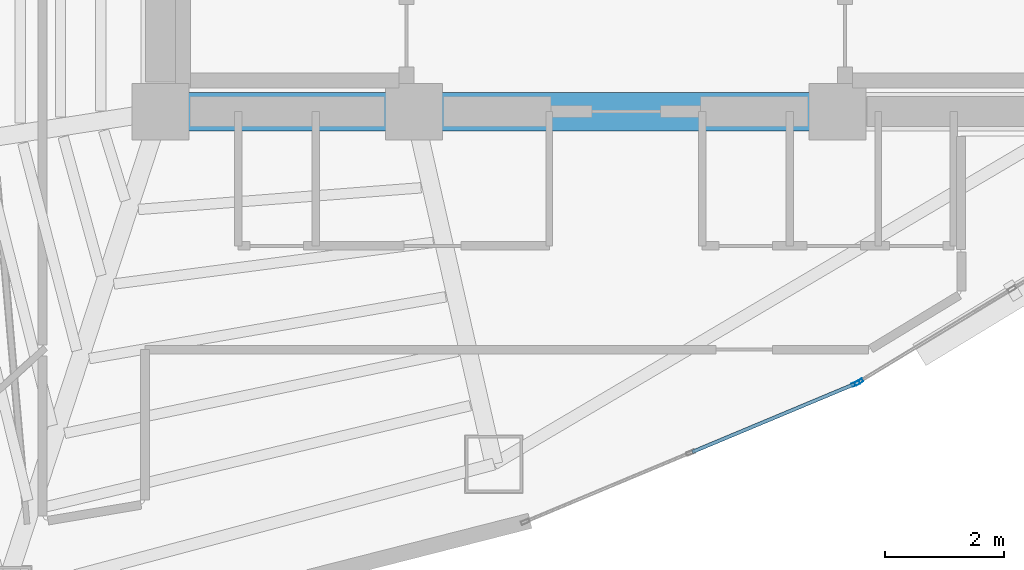
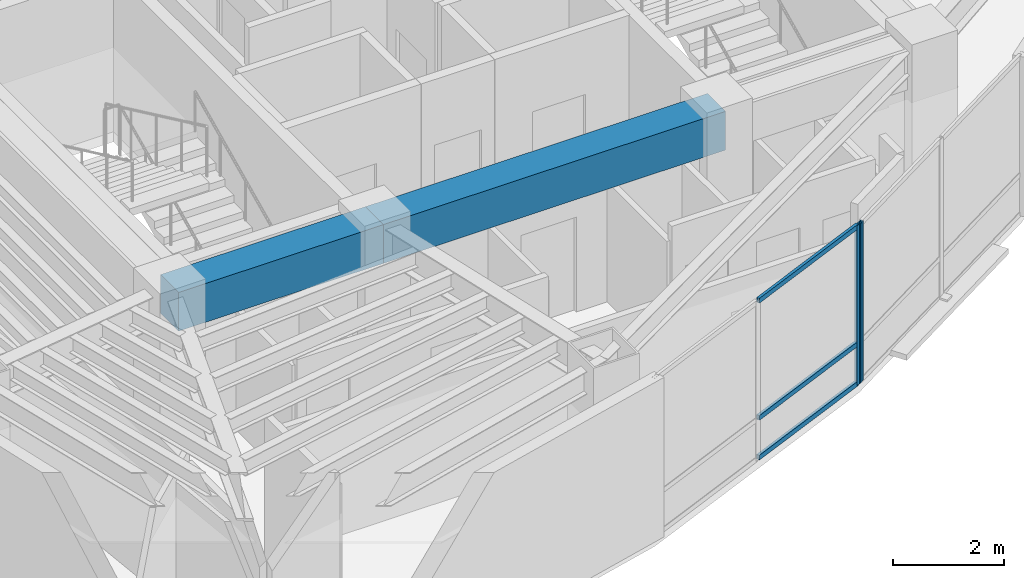
# One storey, part 4 of 16: 5 members, 2 beams, 2 elements without a shape of their own.
"""IFC4 building model written with IfcOpenShell, lengths in metres."""

from ifc_helpers import new_model, si_unit, direction, frame, origin, origin_2d, place, context, subcontext, project, spatial, rectangle, hollow_rectangle, extrude, material, layer, layer_set, material_profile, profile_set, type_object, element, aggregate, save


model = new_model("IFC4")

# Units and contexts
model_context = context("Model", 3, precision=1e-05, world=origin(), true_north=direction((0.0, 1.0)))
body_context = subcontext(model_context, "Body", "Model", "MODEL_VIEW")
ifc_project = project(units=[si_unit("LENGTHUNIT", "METRE"), si_unit("AREAUNIT", "SQUARE_METRE"), si_unit("VOLUMEUNIT", "CUBIC_METRE"), si_unit("PLANEANGLEUNIT", "RADIAN"), si_unit("MASSUNIT", "GRAM", prefix="KILO")], contexts=[model_context])

# Site, building, storey
site_placement = place(None, origin())
site = spatial("IfcSite", under=ifc_project, at=site_placement, CompositionType="ELEMENT")
building_placement = place(site_placement, origin())
building = spatial("IfcBuilding", under=site, at=building_placement, Name="Menara Vayukalpa", CompositionType="ELEMENT")
storey_placement = place(building_placement, frame((0.0, 0.0, 219.5400390625)))
storey = spatial("IfcBuildingStorey", under=building, at=storey_placement, Name="L55", CompositionType="ELEMENT", Elevation=219.5400390625)

# Beams
ifc_material_1 = material(Name="Concrete C60/75", Category="concrete")
ifc_material_profile_1 = material_profile(ifc_material_1, rectangle(XDim=0.64990234375, YDim=0.85009765625, at=origin_2d()), Name="RC 650x850")
ifc_profile_set_1 = profile_set([ifc_material_profile_1], Name="Concrete C60/75")
beam_type = type_object("IfcBeamType", Name="BM-CB1", PredefinedType="BEAM", material=ifc_profile_set_1)
beam_1_placement = place(storey_placement, frame((17.800048828125, 17.199951171875, 3.074951171875), z_axis=(1.0, 0.0, 0.0), x_axis=(0.0, 1.0, 0.0)))
element("IfcBeam", 1, at=beam_1_placement, inside=storey, type_object=beam_type, Name="L55 Core Tie Beam CBR1", PredefinedType="BEAM", context=body_context, shape_type="SweptSolid", body=[
    extrude(rectangle(XDim=0.64990234375, YDim=0.85009765625, at=origin_2d()), origin(), (0.0, 0.0, 1.0), 4.25),
])
beam_2_placement = place(storey_placement, frame((22.050048828125, 17.199951171875, 3.074951171875), z_axis=(1.0, 0.0, 0.0), x_axis=(0.0, 1.0, 0.0)))
element("IfcBeam", 2, at=beam_2_placement, inside=storey, type_object=beam_type, Name="L55 Core Tie Beam CBR2", PredefinedType="BEAM", context=body_context, shape_type="SweptSolid", body=[
    extrude(rectangle(XDim=0.64990234375, YDim=0.85009765625, at=origin_2d()), origin(), (0.0, 0.0, 1.0), 7.099853515625),
])

# Curtain wall, member
ifc_material_2 = material(Name="Anodised Terracotta Aluminium Alloy 6063-T6", Category="masonry")
ifc_layer = layer(ifc_material_2, 0.139892578125)
ifc_layer_set = layer_set([ifc_layer], Name="Anodised Terracotta Aluminium Alloy 6063-T6")
curtain_wall_type = type_object("IfcCurtainWallType", Name="CW-CW5", PredefinedType="USERDEFINED", material=ifc_layer_set)
curtain_wall_1_placement = place(storey_placement, origin())
curtain_wall_1 = element("IfcCurtainWall", 3, at=curtain_wall_1_placement, inside=storey, type_object=curtain_wall_type, Name="L55 High Rise Tapered Curtain Wall CW5 16", ObjectType="UNITISED", PredefinedType="USERDEFINED")
ifc_material_3 = material(Name="Anodised Terracotta Aluminium Alloy 6063-T6", Category="masonry")
ifc_material_profile_2 = material_profile(ifc_material_3, hollow_rectangle(XDim=0.06005859375, YDim=0.139892578125, WallThickness=0.00341796875, at=origin_2d()), Name="ALU 60x140x3.5")
ifc_profile_set_2 = profile_set([ifc_material_profile_2], Name="Anodised Terracotta Aluminium Alloy 6063-T6")
member_type_1 = type_object("IfcMemberType", Name="CWM-CW5", PredefinedType="MULLION", material=ifc_profile_set_2)
member_1_placement = place(storey_placement, frame((29.4560546875, 12.640380859375, 0.0), z_axis=(0.0, 0.0, 1.0), x_axis=(-0.385902834406, 0.922539431351, 0.0)))
member_1 = element("IfcMember", 4, at=member_1_placement, type_object=member_type_1, Name="CW5 mullion 3", PredefinedType="MULLION", context=body_context, shape_type="SweptSolid", body=[
    extrude(hollow_rectangle(XDim=0.06005859375, YDim=0.139892578125, WallThickness=0.00341796875, at=origin_2d()), origin(), (0.0, 0.0, 1.0), 3.5),
])

curtain_wall_2_placement = place(storey_placement, origin())
curtain_wall_2 = element("IfcCurtainWall", 5, at=curtain_wall_2_placement, inside=storey, type_object=curtain_wall_type, Name="L55 High Rise Tapered Curtain Wall CW5 17", ObjectType="UNITISED", PredefinedType="USERDEFINED")
member_2_placement = place(storey_placement, frame((29.509521484375, 12.66748046875, 0.0), z_axis=(0.0, 0.0, 1.0), x_axis=(-0.519179911779, 0.854664974832, 0.0)))
member_2 = element("IfcMember", 6, at=member_2_placement, type_object=member_type_1, Name="CW5 mullion 1", PredefinedType="MULLION", context=body_context, shape_type="SweptSolid", body=[
    extrude(hollow_rectangle(XDim=0.06005859375, YDim=0.139892578125, WallThickness=0.00341796875, at=origin_2d()), origin(), (0.0, 0.0, 1.0), 3.5),
])
aggregate(curtain_wall_2, [member_2])

# Member
ifc_material_4 = material(Name="Anodised Terracotta Aluminium Alloy 6063-T6", Category="masonry")
ifc_material_profile_3 = material_profile(ifc_material_4, hollow_rectangle(XDim=0.06005859375, YDim=0.10498046875, WallThickness=0.0029296875, at=origin_2d()), Name="ALU 60x105x3")
ifc_profile_set_3 = profile_set([ifc_material_profile_3], Name="Anodised Terracotta Aluminium Alloy 6063-T6")
member_type_2 = type_object("IfcMemberType", Name="CWT-CW5", PredefinedType="USERDEFINED", material=ifc_profile_set_3)
member_3_placement = place(storey_placement, frame((26.7138671875, 11.4931640625, 0.030029296875), z_axis=(0.922543360613, 0.385893440976, 0.0), x_axis=(-0.385893440976, 0.922543360613, 0.0)))
member_3 = element("IfcMember", 7, at=member_3_placement, type_object=member_type_2, Name="CW5 transom 2.1", ObjectType="TRANSOM", PredefinedType="USERDEFINED", context=body_context, shape_type="SweptSolid", body=[
    extrude(hollow_rectangle(XDim=0.06005859375, YDim=0.10498046875, WallThickness=0.0029296875, at=origin_2d()), origin(), (0.0, 0.0, 1.0), 2.942626953125),
])

member_4_placement = place(storey_placement, frame((26.7138671875, 11.4931640625, 0.89990234375), z_axis=(0.922543360613, 0.385893440976, 0.0), x_axis=(-0.385893440976, 0.922543360613, 0.0)))
member_4 = element("IfcMember", 8, at=member_4_placement, type_object=member_type_2, Name="CW5 transom 2.2", ObjectType="TRANSOM", PredefinedType="USERDEFINED", context=body_context, shape_type="SweptSolid", body=[
    extrude(hollow_rectangle(XDim=0.06005859375, YDim=0.10498046875, WallThickness=0.0029296875, at=origin_2d()), origin(), (0.0, 0.0, 1.0), 2.942626953125),
])

member_5_placement = place(storey_placement, frame((26.7138671875, 11.4931640625, 3.469970703125), z_axis=(0.922543360613, 0.385893440976, 0.0), x_axis=(-0.385893440976, 0.922543360613, 0.0)))
member_5 = element("IfcMember", 9, at=member_5_placement, type_object=member_type_2, Name="CW5 transom 2.3", ObjectType="TRANSOM", PredefinedType="USERDEFINED", context=body_context, shape_type="SweptSolid", body=[
    extrude(hollow_rectangle(XDim=0.06005859375, YDim=0.10498046875, WallThickness=0.0029296875, at=origin_2d()), origin(), (0.0, 0.0, 1.0), 2.942626953125),
])

aggregate(curtain_wall_1, [member_1, member_3, member_4, member_5])

save(model, "model.ifc")
